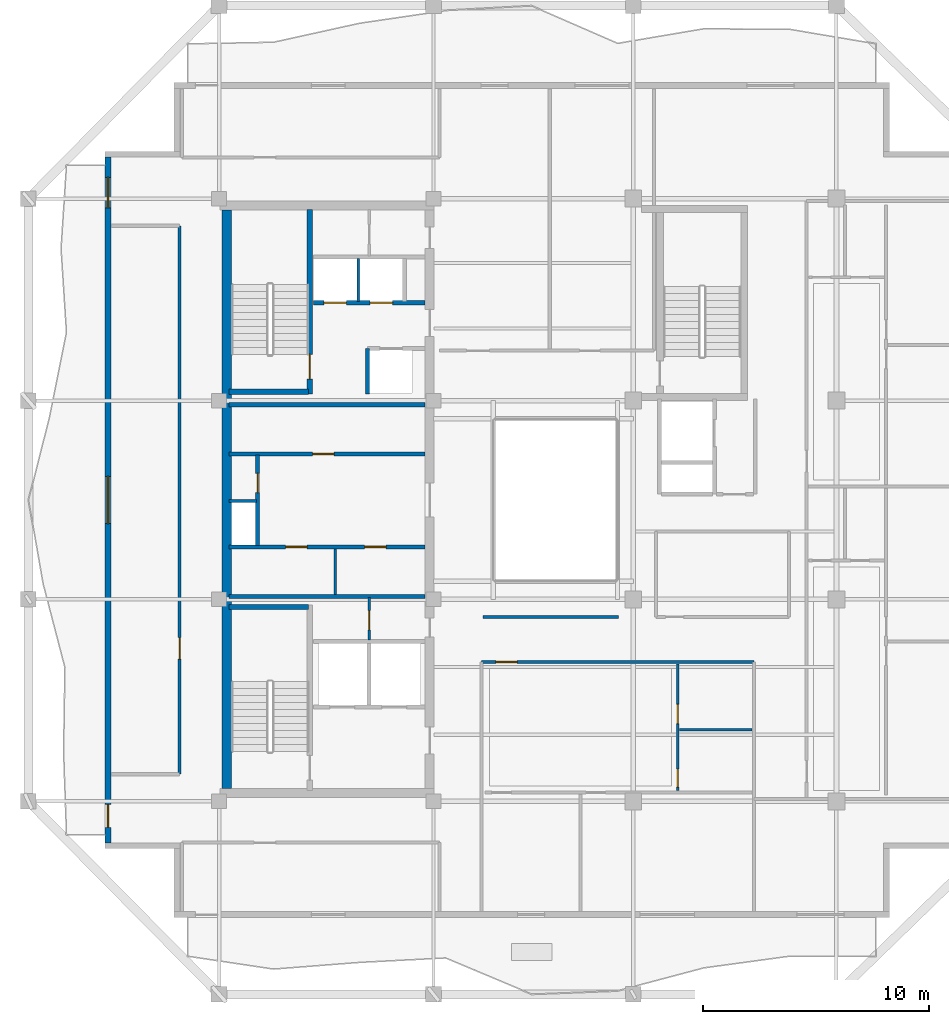
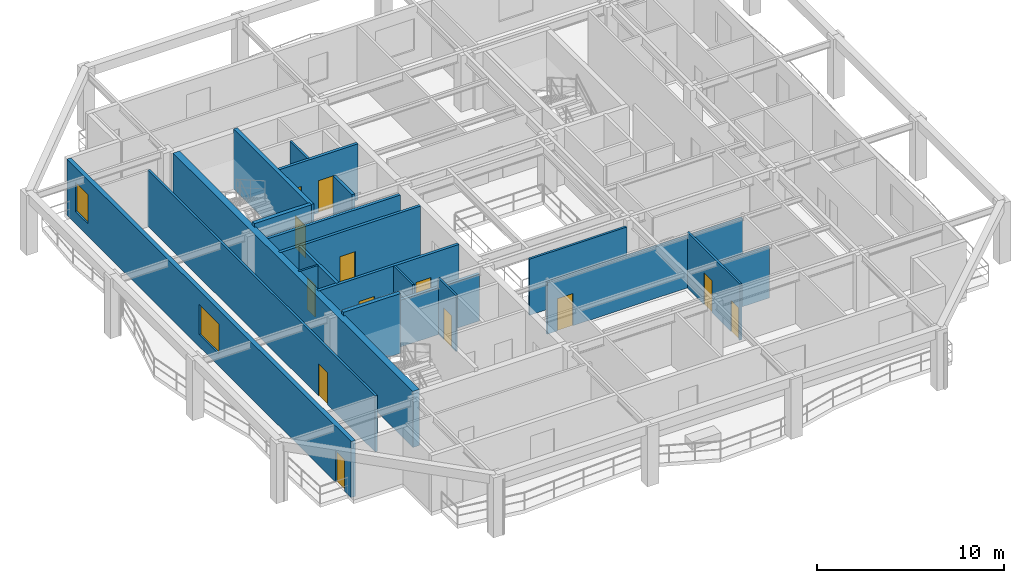
# One storey, part 3 of 10: 21 walls, 13 doors, 2 windows, 15 openings.
"""IFC4 building model written with IfcOpenShell, lengths in metres."""

from ifc_helpers import new_model, si_unit, direction, frame, frame_2d, origin, place, context, subcontext, project, spatial, rectangle, extrude, material, layer, layer_set, type_object, element, fill, save


model = new_model("IFC4")

# Units and contexts
model_context = context("Model", 3, precision=1e-05, world=origin(), true_north=direction((0.0, 1.0)))
body_context = subcontext(model_context, "Body", "Model", "MODEL_VIEW")
ifc_project = project(units=[si_unit("LENGTHUNIT", "METRE"), si_unit("AREAUNIT", "SQUARE_METRE"), si_unit("VOLUMEUNIT", "CUBIC_METRE"), si_unit("PLANEANGLEUNIT", "RADIAN"), si_unit("MASSUNIT", "GRAM", prefix="KILO")], contexts=[model_context])

# Site, building, storey
site_placement = place(None, origin())
site = spatial("IfcSite", under=ifc_project, at=site_placement, CompositionType="ELEMENT")
building_placement = place(site_placement, origin())
building = spatial("IfcBuilding", under=site, at=building_placement, Name="Kundavana Baori Tower", CompositionType="ELEMENT")
storey_placement = place(building_placement, frame((0.0, 0.0, 296.0)))
storey = spatial("IfcBuildingStorey", under=building, at=storey_placement, Name="L73", CompositionType="ELEMENT", Elevation=296.0)

# Walls
ifc_material_1 = material(Name="Concrete C50/60", Category="concrete")
ifc_layer_1 = layer(ifc_material_1, 0.39990234375, Name="WL-CORE-400")
ifc_layer_set_1 = layer_set([ifc_layer_1], Name="Concrete C50/60")
wall_type_1 = type_object("IfcWallType", Name="WL-CORE-400", PredefinedType="SHEAR", material=ifc_layer_set_1)
wall_1_placement = place(storey_placement, frame((15.7900390625, 15.81005859375, 0.0), z_axis=(0.0, 0.0, 1.0), x_axis=(0.0, 1.0, 0.0)))
element("IfcWall", 1, at=wall_1_placement, inside=storey, type_object=wall_type_1, Name="L73 Offset Core West Shear Wall", PredefinedType="SHEAR", context=body_context, shape_type="SweptSolid", body=[
    extrude(rectangle(XDim=25.6298828125, YDim=0.39990234375, at=frame_2d((12.81494140625, 0.0))), origin(), (0.0, 0.0, 1.0), 3.659912109375),
])
wall_2_placement = place(storey_placement, frame((15.89990234375, 23.860107421875, 0.0), z_axis=(0.0, 0.0, 1.0), x_axis=(1.0, 0.0, 0.0)))
element("IfcWall", 2, at=wall_2_placement, inside=storey, type_object=wall_type_1, Name="WL-L73-ST1-N", PredefinedType="SHEAR", context=body_context, shape_type="SweptSolid", body=[
    extrude(rectangle(XDim=3.52001953125, YDim=0.239990234375, at=frame_2d((1.760009765625, 0.0))), origin(), (0.0, 0.0, 1.0), 3.89990234375),
])

# Wall, opening, door
wall_3_placement = place(storey_placement, frame((19.4599609375, 33.300048828125, 0.0), z_axis=(0.0, 0.0, 1.0), x_axis=(0.0, 1.0, 0.0)))
wall_3 = element("IfcWall", 3, at=wall_3_placement, inside=storey, type_object=wall_type_1, Name="WL-L73-ST2-E", PredefinedType="SHEAR", context=body_context, shape_type="SweptSolid", body=[
    extrude(rectangle(XDim=8.179931640625, YDim=0.239990234375, at=frame_2d((4.08984375, 0.0))), origin(), (0.0, 0.0, 1.0), 3.89990234375),
])
opening_1_placement = place(wall_3_placement, frame((0.64990234375, 0.0, 0.0)))
opening_1 = element("IfcOpeningElement", 4, at=opening_1_placement, cuts=wall_3, Name="Opening FD-110", PredefinedType="OPENING", context=body_context, shape_type="SweptSolid", body=[
    extrude(rectangle(XDim=1.10009765625, YDim=2.10009765625, at=frame_2d((0.550048828125, 1.050048828125))), frame((0.0, 0.1298828125, 0.0), z_axis=(0.0, -1.0, 0.0), x_axis=(1.0, 0.0, 0.0)), (0.0, 0.0, 1.0), 0.260009765625),
])
ifc_material_2 = material(Name="Galvanised Steel Fire-Rated Door Leaf", Category="steel")
door_type_1 = type_object("IfcDoorType", Name="DR-FD120-1100", OperationType="NOTDEFINED", PredefinedType="DOOR", material=ifc_material_2)
door_1_placement = place(opening_1_placement, origin())
door_1 = element("IfcDoor", 5, at=door_1_placement, inside=storey, type_object=door_type_1, Name="DR-L73-ST2", OperationType="SINGLE_SWING_RIGHT", OverallHeight=2.10009765625, OverallWidth=1.10009765625, PredefinedType="DOOR", context=body_context, shape_type="SweptSolid", body=[
    extrude(rectangle(XDim=1.10009765625, YDim=2.10009765625, at=frame_2d((0.550048828125, 1.050048828125))), frame((0.0, 0.02490234375, 0.0), z_axis=(0.0, -1.0, 0.0), x_axis=(1.0, 0.0, 0.0)), (0.0, 0.0, 1.0), 0.050048828125),
])
fill(opening_1, door_1)

# Wall
wall_4_placement = place(storey_placement, frame((15.89990234375, 33.389892578125, 0.0), z_axis=(0.0, 0.0, 1.0), x_axis=(1.0, 0.0, 0.0)))
element("IfcWall", 6, at=wall_4_placement, inside=storey, type_object=wall_type_1, Name="WL-L73-ST2-S", PredefinedType="SHEAR", context=body_context, shape_type="SweptSolid", body=[
    extrude(rectangle(XDim=3.52001953125, YDim=0.239990234375, at=frame_2d((1.760009765625, 0.0))), origin(), (0.0, 0.0, 1.0), 3.89990234375),
])

# Wall, openings, door, windows
ifc_material_3 = material(Name="Kiln-Fired Terracotta Brick-Slip Masonry on Concrete C40/50", Category="masonry")
ifc_layer_2 = layer(ifc_material_3, 0.260009765625, Name="WL-EXT-BRK-260")
ifc_layer_set_2 = layer_set([ifc_layer_2], Name="Kiln-Fired Terracotta Brick-Slip Masonry on Concrete C40/50")
wall_type_2 = type_object("IfcWallType", Name="WL-EXT-BRK-260", PredefinedType="SOLIDWALL", material=ifc_layer_set_2)
wall_5_placement = place(storey_placement, frame((10.530029296875, 43.7900390625, 0.0), z_axis=(0.0, 0.0, 1.0), x_axis=(0.0, -1.0, 0.0)))
wall_5 = element("IfcWall", 7, at=wall_5_placement, inside=storey, type_object=wall_type_2, Name="L73 Exterior Insulated Facade Wall 10", PredefinedType="SOLIDWALL", context=body_context, shape_type="SweptSolid", body=[
    extrude(rectangle(XDim=30.380126953125, YDim=0.260009765625, at=frame_2d((15.18994140625, 0.0))), origin(), (0.0, 0.0, 1.0), 3.659912109375),
])
opening_2_placement = place(wall_5_placement, frame((28.68994140625, 0.0, 0.0)))
opening_2 = element("IfcOpeningElement", 8, at=opening_2_placement, cuts=wall_5, Name="Opening BD-1", PredefinedType="OPENING", context=body_context, shape_type="SweptSolid", body=[
    extrude(rectangle(XDim=1.0, YDim=2.050048828125, at=frame_2d((0.5, 1.02490234375))), frame((0.0, 0.14013671875, 0.0), z_axis=(0.0, -1.0, 0.0), x_axis=(1.0, 0.0, 0.0)), (0.0, 0.0, 1.0), 0.280029296875),
])
opening_3_placement = place(wall_5_placement, frame((14.139892578125, 0.0, 0.800048828125)))
opening_3 = element("IfcOpeningElement", 9, at=opening_3_placement, cuts=wall_5, Name="Opening W-05", PredefinedType="OPENING", context=body_context, shape_type="SweptSolid", body=[
    extrude(rectangle(XDim=2.10009765625, YDim=1.949951171875, at=frame_2d((1.050048828125, 0.97509765625))), frame((0.0, 0.14013671875, 0.0), z_axis=(0.0, -1.0, 0.0), x_axis=(1.0, 0.0, 0.0)), (0.0, 0.0, 1.0), 0.280029296875),
])
opening_4_placement = place(wall_5_placement, frame((0.89990234375, 0.0, 0.800048828125)))
opening_4 = element("IfcOpeningElement", 10, at=opening_4_placement, cuts=wall_5, Name="Opening W-07", PredefinedType="OPENING", context=body_context, shape_type="SweptSolid", body=[
    extrude(rectangle(XDim=1.35009765625, YDim=1.89990234375, at=frame_2d((0.675048828125, 0.949951171875))), frame((0.0, 0.14013671875, 0.0), z_axis=(0.0, -1.0, 0.0), x_axis=(1.0, 0.0, 0.0)), (0.0, 0.0, 1.0), 0.280029296875),
])
ifc_material_4 = material(Name="Architectural Patinated Bronze Metalwork")
door_type_2 = type_object("IfcDoorType", Name="DR-EXT-LOG-1000", OperationType="NOTDEFINED", PredefinedType="DOOR", material=ifc_material_4)
door_2_placement = place(opening_2_placement, frame((1.0, 0.0, 0.0), z_axis=(0.0, 0.0, 1.0), x_axis=(-1.0, 0.0, 0.0)))
door_2 = element("IfcDoor", 11, at=door_2_placement, inside=storey, type_object=door_type_2, Name="L73 Loggia Balcony Access Door W", OperationType="SINGLE_SWING_RIGHT", OverallHeight=2.050048828125, OverallWidth=1.0, PredefinedType="DOOR", context=body_context, shape_type="SweptSolid", body=[
    extrude(rectangle(XDim=1.0, YDim=2.050048828125, at=frame_2d((0.5, 1.02490234375))), frame((0.0, 0.02490234375, 0.0), z_axis=(0.0, -1.0, 0.0), x_axis=(1.0, 0.0, 0.0)), (0.0, 0.0, 1.0), 0.050048828125),
])
fill(opening_2, door_2)
ifc_material_5 = material(Name="Double-Glazed Solar-Control Low-E Insulated Glass", Category="glass")
window_type_1 = type_object("IfcWindowType", Name="WIN-LOG-1350x1900", PartitioningType="SINGLE_PANEL", PredefinedType="WINDOW", material=ifc_material_5)
window_1_placement = place(opening_4_placement, origin())
window_1 = element("IfcWindow", 12, at=window_1_placement, inside=storey, type_object=window_type_1, Name="L73 Recessed Loggia Window W-3", OverallHeight=1.89990234375, OverallWidth=1.35009765625, PartitioningType="SINGLE_PANEL", PredefinedType="WINDOW", context=body_context, shape_type="SweptSolid", body=[
    extrude(rectangle(XDim=1.35009765625, YDim=1.89990234375, at=frame_2d((0.675048828125, 0.949951171875))), frame((0.0, 0.030029296875, 0.0), z_axis=(0.0, -1.0, 0.0), x_axis=(1.0, 0.0, 0.0)), (0.0, 0.0, 1.0), 0.06005859375),
])
fill(opening_4, window_1)
ifc_material_6 = material(Name="Double-Glazed Solar-Control Low-E Insulated Glass", Category="glass")
window_type_2 = type_object("IfcWindowType", Name="WIN-LOG-2100x1950", PartitioningType="SINGLE_PANEL", PredefinedType="WINDOW", material=ifc_material_6)
window_2_placement = place(opening_3_placement, origin())
window_2 = element("IfcWindow", 13, at=window_2_placement, inside=storey, type_object=window_type_2, Name="L73 Recessed Loggia Window W-2", OverallHeight=1.949951171875, OverallWidth=2.10009765625, PartitioningType="SINGLE_PANEL", PredefinedType="WINDOW", context=body_context, shape_type="SweptSolid", body=[
    extrude(rectangle(XDim=2.10009765625, YDim=1.949951171875, at=frame_2d((1.050048828125, 0.97509765625))), frame((0.0, 0.030029296875, 0.0), z_axis=(0.0, -1.0, 0.0), x_axis=(1.0, 0.0, 0.0)), (0.0, 0.0, 1.0), 0.06005859375),
])
fill(opening_3, window_2)

# Wall, opening, door
ifc_material_7 = material(Name="Acoustic Gypsum Plasterboard on Galvanised Steel Studs", Category="steel")
ifc_layer_3 = layer(ifc_material_7, 0.1201171875, Name="WL-PART-120")
ifc_layer_set_3 = layer_set([ifc_layer_3], Name="Acoustic Gypsum Plasterboard on Galvanised Steel Studs")
wall_type_3 = type_object("IfcWallType", Name="WL-PART-120", PredefinedType="PARTITIONING", material=ifc_layer_set_3)
wall_6_placement = place(storey_placement, frame((22.10009765625, 22.39990234375, 0.0), z_axis=(0.0, 0.0, 1.0), x_axis=(0.0, 1.0, 0.0)))
wall_6 = element("IfcWall", 14, at=wall_6_placement, inside=storey, type_object=wall_type_3, Name="WL-L73-CSMK-D1", PredefinedType="PARTITIONING", context=body_context, shape_type="SweptSolid", body=[
    extrude(rectangle(XDim=1.880126953125, YDim=0.1201171875, at=frame_2d((0.93994140625, 0.0))), origin(), (0.0, 0.0, 1.0), 3.659912109375),
])
opening_5_placement = place(wall_6_placement, frame((0.449951171875, 0.0, 0.0)))
opening_5 = element("IfcOpeningElement", 15, at=opening_5_placement, cuts=wall_6, Name="Opening FD-085", PredefinedType="OPENING", context=body_context, shape_type="SweptSolid", body=[
    extrude(rectangle(XDim=0.85009765625, YDim=2.06005859375, at=frame_2d((0.425048828125, 1.030029296875))), frame((0.0, 0.070068359375, 0.0), z_axis=(0.0, -1.0, 0.0), x_axis=(1.0, 0.0, 0.0)), (0.0, 0.0, 1.0), 0.14013671875),
])
ifc_material_8 = material(Name="Galvanised Steel Fire-Rated Door Leaf", Category="steel")
door_type_3 = type_object("IfcDoorType", Name="DR-FD60-850", OperationType="NOTDEFINED", PredefinedType="DOOR", material=ifc_material_8)
door_3_placement = place(opening_5_placement, origin())
door_3 = element("IfcDoor", 16, at=door_3_placement, inside=storey, type_object=door_type_3, Name="DR-L73-CSMK1", OperationType="SINGLE_SWING_LEFT", OverallHeight=2.06005859375, OverallWidth=0.85009765625, PredefinedType="DOOR", context=body_context, shape_type="SweptSolid", body=[
    extrude(rectangle(XDim=0.85009765625, YDim=2.06005859375, at=frame_2d((0.425048828125, 1.030029296875))), frame((0.0, 0.02490234375, 0.0), z_axis=(0.0, -1.0, 0.0), x_axis=(1.0, 0.0, 0.0)), (0.0, 0.0, 1.0), 0.050048828125),
])
fill(opening_5, door_3)

# Walls
wall_7_placement = place(storey_placement, frame((20.60009765625, 24.419921875, 0.0), z_axis=(0.0, 0.0, 1.0), x_axis=(0.0, 1.0, 0.0)))
element("IfcWall", 17, at=wall_7_placement, inside=storey, type_object=wall_type_3, Name="WL-L73-FRLOW-DIV", PredefinedType="PARTITIONING", context=body_context, shape_type="SweptSolid", body=[
    extrude(rectangle(XDim=2.02001953125, YDim=0.1201171875, at=frame_2d((1.010009765625, 0.0))), origin(), (0.0, 0.0, 1.0), 3.659912109375),
])
wall_8_placement = place(storey_placement, frame((15.89990234375, 28.56005859375, 0.0), z_axis=(0.0, 0.0, 1.0), x_axis=(1.0, 0.0, 0.0)))
element("IfcWall", 18, at=wall_8_placement, inside=storey, type_object=wall_type_3, Name="WL-L73-RSRW-N", PredefinedType="PARTITIONING", context=body_context, shape_type="SweptSolid", body=[
    extrude(rectangle(XDim=1.2001953125, YDim=0.1201171875, at=frame_2d((0.60009765625, 0.0))), origin(), (0.0, 0.0, 1.0), 3.659912109375),
])
wall_9_placement = place(storey_placement, frame((21.6201171875, 37.39990234375, 0.0), z_axis=(0.0, 0.0, 1.0), x_axis=(0.0, 1.0, 0.0)))
element("IfcWall", 19, at=wall_9_placement, inside=storey, type_object=wall_type_3, Name="WL-L73-HR-DIV1", PredefinedType="PARTITIONING", context=body_context, shape_type="SweptSolid", body=[
    extrude(rectangle(XDim=1.900146484375, YDim=0.1201171875, at=frame_2d((0.9501953125, 0.0))), origin(), (0.0, 0.0, 1.0), 3.659912109375),
])

# Wall, opening, door
ifc_material_9 = material(Name="Acoustic Gypsum Plasterboard on Galvanised Steel Studs", Category="steel")
ifc_layer_4 = layer(ifc_material_9, 0.135009765625, Name="WL-PART-135")
ifc_layer_set_4 = layer_set([ifc_layer_4], Name="Acoustic Gypsum Plasterboard on Galvanised Steel Studs")
wall_type_4 = type_object("IfcWallType", Name="WL-PART-135", PredefinedType="PARTITIONING", material=ifc_layer_set_4)
wall_10_placement = place(storey_placement, frame((27.080078125, 21.419921875, 0.0), z_axis=(0.0, 0.0, 1.0), x_axis=(1.0, 0.0, 0.0)))
wall_10 = element("IfcWall", 20, at=wall_10_placement, inside=storey, type_object=wall_type_4, Name="WL-L73-RS", PredefinedType="PARTITIONING", context=body_context, shape_type="SweptSolid", body=[
    extrude(rectangle(XDim=12.06982421875, YDim=0.135009765625, at=frame_2d((6.034912109375, 0.0))), origin(), (0.0, 0.0, 1.0), 3.360107421875),
])
opening_6_placement = place(wall_10_placement, frame((0.6298828125, 0.0, 0.0)))
opening_6 = element("IfcOpeningElement", 21, at=opening_6_placement, cuts=wall_10, Name="Opening FD-095", PredefinedType="OPENING", context=body_context, shape_type="SweptSolid", body=[
    extrude(rectangle(XDim=0.949951171875, YDim=2.10009765625, at=frame_2d((0.47509765625, 1.050048828125))), frame((0.0, 0.07763671875, 0.0), z_axis=(0.0, -1.0, 0.0), x_axis=(1.0, 0.0, 0.0)), (0.0, 0.0, 1.0), 0.155029296875),
])
ifc_material_10 = material(Name="Engineered Teak Fire-Rated Timber Door Leaf", Category="wood")
door_type_4 = type_object("IfcDoorType", Name="DR-FD60-950", OperationType="NOTDEFINED", PredefinedType="DOOR", material=ifc_material_10)
door_4_placement = place(opening_6_placement, frame((0.949951171875, 0.0, 0.0), z_axis=(0.0, 0.0, 1.0), x_axis=(-1.0, 0.0, 0.0)))
door_4 = element("IfcDoor", 22, at=door_4_placement, inside=storey, type_object=door_type_4, Name="DR-L73-S1-ENT", OperationType="SINGLE_SWING_RIGHT", OverallHeight=2.10009765625, OverallWidth=0.949951171875, PredefinedType="DOOR", context=body_context, shape_type="SweptSolid", body=[
    extrude(rectangle(XDim=0.949951171875, YDim=2.10009765625, at=frame_2d((0.47509765625, 1.050048828125))), frame((0.0, 0.02490234375, 0.0), z_axis=(0.0, -1.0, 0.0), x_axis=(1.0, 0.0, 0.0)), (0.0, 0.0, 1.0), 0.050048828125),
])
fill(opening_6, door_4)

# Wall
wall_11_placement = place(storey_placement, frame((27.14990234375, 23.419921875, 0.0), z_axis=(0.0, 0.0, 1.0), x_axis=(1.0, 0.0, 0.0)))
element("IfcWall", 23, at=wall_11_placement, inside=storey, type_object=wall_type_4, Name="WL-L73-RST", PredefinedType="PARTITIONING", context=body_context, shape_type="SweptSolid", body=[
    extrude(rectangle(XDim=6.0, YDim=0.135009765625, at=frame_2d((3.0, 0.0))), origin(), (0.0, 0.0, 1.0), 3.659912109375),
])

# Wall, opening, door
wall_12_placement = place(storey_placement, frame((13.699951171875, 16.449951171875, 0.0), z_axis=(0.0, 0.0, 1.0), x_axis=(0.0, 1.0, 0.0)))
wall_12 = element("IfcWall", 24, at=wall_12_placement, inside=storey, type_object=wall_type_4, Name="WL-L73-RW", PredefinedType="PARTITIONING", context=body_context, shape_type="SweptSolid", body=[
    extrude(rectangle(XDim=24.300048828125, YDim=0.135009765625, at=frame_2d((12.14990234375, 0.0))), origin(), (0.0, 0.0, 1.0), 3.659912109375),
])
opening_7_placement = place(wall_12_placement, frame((5.10009765625, 0.0, 0.0)))
opening_7 = element("IfcOpeningElement", 25, at=opening_7_placement, cuts=wall_12, Name="Opening ID-095", PredefinedType="OPENING", context=body_context, shape_type="SweptSolid", body=[
    extrude(rectangle(XDim=0.949951171875, YDim=2.080078125, at=frame_2d((0.47509765625, 1.0400390625))), frame((0.0, 0.07763671875, 0.0), z_axis=(0.0, -1.0, 0.0), x_axis=(1.0, 0.0, 0.0)), (0.0, 0.0, 1.0), 0.155029296875),
])
ifc_material_11 = material(Name="Engineered Teak Solid-Core Timber Veneer", Category="wood")
door_type_5 = type_object("IfcDoorType", Name="DR-INT-950", OperationType="NOTDEFINED", PredefinedType="DOOR", material=ifc_material_11)
door_5_placement = place(opening_7_placement, origin())
door_5 = element("IfcDoor", 26, at=door_5_placement, inside=storey, type_object=door_type_5, Name="DR-L73-RLNGW", OperationType="SINGLE_SWING_LEFT", OverallHeight=2.080078125, OverallWidth=0.949951171875, PredefinedType="DOOR", context=body_context, shape_type="SweptSolid", body=[
    extrude(rectangle(XDim=0.949951171875, YDim=2.080078125, at=frame_2d((0.47509765625, 1.0400390625))), frame((0.0, 0.02490234375, 0.0), z_axis=(0.0, -1.0, 0.0), x_axis=(1.0, 0.0, 0.0)), (0.0, 0.0, 1.0), 0.050048828125),
])
fill(opening_7, door_5)

# Wall, openings, doors
ifc_material_12 = material(Name="Autoclaved Aerated Concrete Blockwork Masonry", Category="masonry")
ifc_layer_5 = layer(ifc_material_12, 0.179931640625, Name="WL-SHAFT-180")
ifc_layer_set_5 = layer_set([ifc_layer_5], Name="Autoclaved Aerated Concrete Blockwork Masonry")
wall_type_5 = type_object("IfcWallType", Name="WL-SHAFT-180", PredefinedType="SOLIDWALL", material=ifc_layer_set_5)
wall_13_placement = place(storey_placement, frame((15.89990234375, 26.52001953125, 0.0), z_axis=(0.0, 0.0, 1.0), x_axis=(1.0, 0.0, 0.0)))
wall_13 = element("IfcWall", 27, at=wall_13_placement, inside=storey, type_object=wall_type_5, Name="WL-L73-LPLOW-N", PredefinedType="SOLIDWALL", context=body_context, shape_type="SweptSolid", body=[
    extrude(rectangle(XDim=8.68017578125, YDim=0.179931640625, at=frame_2d((4.340087890625, 0.0))), origin(), (0.0, 0.0, 1.0), 3.659912109375),
])
opening_8_placement = place(wall_13_placement, frame((2.5, 0.0, 0.0)))
opening_8 = element("IfcOpeningElement", 28, at=opening_8_placement, cuts=wall_13, Name="Opening FD-095", PredefinedType="OPENING", context=body_context, shape_type="SweptSolid", body=[
    extrude(rectangle(XDim=0.949951171875, YDim=2.10009765625, at=frame_2d((0.47509765625, 1.050048828125))), frame((0.0, 0.10009765625, 0.0), z_axis=(0.0, -1.0, 0.0), x_axis=(1.0, 0.0, 0.0)), (0.0, 0.0, 1.0), 0.199951171875),
])
opening_9_placement = place(wall_13_placement, frame((6.0, 0.0, 0.0)))
opening_9 = element("IfcOpeningElement", 29, at=opening_9_placement, cuts=wall_13, Name="Opening FD-095", PredefinedType="OPENING", context=body_context, shape_type="SweptSolid", body=[
    extrude(rectangle(XDim=0.949951171875, YDim=2.10009765625, at=frame_2d((0.47509765625, 1.050048828125))), frame((0.0, 0.10009765625, 0.0), z_axis=(0.0, -1.0, 0.0), x_axis=(1.0, 0.0, 0.0)), (0.0, 0.0, 1.0), 0.199951171875),
])
door_6_placement = place(opening_8_placement, origin())
door_6 = element("IfcDoor", 30, at=door_6_placement, inside=storey, type_object=door_type_4, Name="DR-L73-FRLOW1", OperationType="SINGLE_SWING_LEFT", OverallHeight=2.10009765625, OverallWidth=0.949951171875, PredefinedType="DOOR", context=body_context, shape_type="SweptSolid", body=[
    extrude(rectangle(XDim=0.949951171875, YDim=2.10009765625, at=frame_2d((0.47509765625, 1.050048828125))), frame((0.0, 0.02490234375, 0.0), z_axis=(0.0, -1.0, 0.0), x_axis=(1.0, 0.0, 0.0)), (0.0, 0.0, 1.0), 0.050048828125),
])
fill(opening_8, door_6)
door_7_placement = place(opening_9_placement, origin())
door_7 = element("IfcDoor", 31, at=door_7_placement, inside=storey, type_object=door_type_4, Name="DR-L73-FRLOW2", OperationType="SINGLE_SWING_RIGHT", OverallHeight=2.10009765625, OverallWidth=0.949951171875, PredefinedType="DOOR", context=body_context, shape_type="SweptSolid", body=[
    extrude(rectangle(XDim=0.949951171875, YDim=2.10009765625, at=frame_2d((0.47509765625, 1.050048828125))), frame((0.0, 0.02490234375, 0.0), z_axis=(0.0, -1.0, 0.0), x_axis=(1.0, 0.0, 0.0)), (0.0, 0.0, 1.0), 0.050048828125),
])
fill(opening_9, door_7)

# Wall
wall_14_placement = place(storey_placement, frame((15.89990234375, 24.330078125, 0.0), z_axis=(0.0, 0.0, 1.0), x_axis=(1.0, 0.0, 0.0)))
element("IfcWall", 32, at=wall_14_placement, inside=storey, type_object=wall_type_5, Name="WL-L73-LPLOW-S", PredefinedType="SOLIDWALL", context=body_context, shape_type="SweptSolid", body=[
    extrude(rectangle(XDim=8.68017578125, YDim=0.179931640625, at=frame_2d((4.340087890625, 0.0))), origin(), (0.0, 0.0, 1.0), 3.06005859375),
])

# Wall, opening, door
wall_15_placement = place(storey_placement, frame((17.159912109375, 26.580078125, 0.0), z_axis=(0.0, 0.0, 1.0), x_axis=(0.0, 1.0, 0.0)))
wall_15 = element("IfcWall", 33, at=wall_15_placement, inside=storey, type_object=wall_type_5, Name="WL-L73-RSRW-E", PredefinedType="SOLIDWALL", context=body_context, shape_type="SweptSolid", body=[
    extrude(rectangle(XDim=4.02001953125, YDim=0.179931640625, at=frame_2d((2.010009765625, 0.0))), origin(), (0.0, 0.0, 1.0), 3.659912109375),
])
opening_10_placement = place(wall_15_placement, frame((2.35009765625, 0.0, 0.0)))
opening_10 = element("IfcOpeningElement", 34, at=opening_10_placement, cuts=wall_15, Name="Opening FD-085", PredefinedType="OPENING", context=body_context, shape_type="SweptSolid", body=[
    extrude(rectangle(XDim=0.85009765625, YDim=2.06005859375, at=frame_2d((0.425048828125, 1.030029296875))), frame((0.0, 0.10009765625, 0.0), z_axis=(0.0, -1.0, 0.0), x_axis=(1.0, 0.0, 0.0)), (0.0, 0.0, 1.0), 0.199951171875),
])
door_8_placement = place(opening_10_placement, origin())
door_8 = element("IfcDoor", 35, at=door_8_placement, inside=storey, type_object=door_type_3, Name="DR-L73-CLN", OperationType="SINGLE_SWING_RIGHT", OverallHeight=2.06005859375, OverallWidth=0.85009765625, PredefinedType="DOOR", context=body_context, shape_type="SweptSolid", body=[
    extrude(rectangle(XDim=0.85009765625, YDim=2.06005859375, at=frame_2d((0.425048828125, 1.030029296875))), frame((0.0, 0.02490234375, 0.0), z_axis=(0.0, -1.0, 0.0), x_axis=(1.0, 0.0, 0.0)), (0.0, 0.0, 1.0), 0.050048828125),
])
fill(opening_10, door_8)

wall_16_placement = place(storey_placement, frame((15.89990234375, 30.639892578125, 0.0), z_axis=(0.0, 0.0, 1.0), x_axis=(1.0, 0.0, 0.0)))
wall_16 = element("IfcWall", 36, at=wall_16_placement, inside=storey, type_object=wall_type_5, Name="WL-L73-LPMID-S", PredefinedType="SOLIDWALL", context=body_context, shape_type="SweptSolid", body=[
    extrude(rectangle(XDim=8.68017578125, YDim=0.179931640625, at=frame_2d((4.340087890625, 0.0))), origin(), (0.0, 0.0, 1.0), 3.659912109375),
])
opening_11_placement = place(wall_16_placement, frame((3.699951171875, 0.0, 0.0)))
opening_11 = element("IfcOpeningElement", 37, at=opening_11_placement, cuts=wall_16, Name="Opening FD-095", PredefinedType="OPENING", context=body_context, shape_type="SweptSolid", body=[
    extrude(rectangle(XDim=0.949951171875, YDim=2.10009765625, at=frame_2d((0.47509765625, 1.050048828125))), frame((0.0, 0.10009765625, 0.0), z_axis=(0.0, -1.0, 0.0), x_axis=(1.0, 0.0, 0.0)), (0.0, 0.0, 1.0), 0.199951171875),
])
door_9_placement = place(opening_11_placement, frame((0.949951171875, 0.0, 0.0), z_axis=(0.0, 0.0, 1.0), x_axis=(-1.0, 0.0, 0.0)))
door_9 = element("IfcDoor", 38, at=door_9_placement, inside=storey, type_object=door_type_4, Name="DR-L73-FRMID1", OperationType="SINGLE_SWING_RIGHT", OverallHeight=2.10009765625, OverallWidth=0.949951171875, PredefinedType="DOOR", context=body_context, shape_type="SweptSolid", body=[
    extrude(rectangle(XDim=0.949951171875, YDim=2.10009765625, at=frame_2d((0.47509765625, 1.050048828125))), frame((0.0, 0.02490234375, 0.0), z_axis=(0.0, -1.0, 0.0), x_axis=(1.0, 0.0, 0.0)), (0.0, 0.0, 1.0), 0.050048828125),
])
fill(opening_11, door_9)

# Walls
wall_17_placement = place(storey_placement, frame((15.89990234375, 32.820068359375, 0.0), z_axis=(0.0, 0.0, 1.0), x_axis=(1.0, 0.0, 0.0)))
element("IfcWall", 39, at=wall_17_placement, inside=storey, type_object=wall_type_5, Name="WL-L73-LPMID-N", PredefinedType="SOLIDWALL", context=body_context, shape_type="SweptSolid", body=[
    extrude(rectangle(XDim=8.68017578125, YDim=0.179931640625, at=frame_2d((4.340087890625, 0.0))), origin(), (0.0, 0.0, 1.0), 3.06005859375),
])
wall_18_placement = place(storey_placement, frame((22.02001953125, 33.300048828125, 0.0), z_axis=(0.0, 0.0, 1.0), x_axis=(0.0, 1.0, 0.0)))
element("IfcWall", 40, at=wall_18_placement, inside=storey, type_object=wall_type_5, Name="WL-L73-LP11-W", PredefinedType="SOLIDWALL", context=body_context, shape_type="SweptSolid", body=[
    extrude(rectangle(XDim=2.010009765625, YDim=0.179931640625, at=frame_2d((1.0048828125, 0.0))), origin(), (0.0, 0.0, 1.0), 3.659912109375),
])

# Wall, openings, doors
wall_19_placement = place(storey_placement, frame((19.639892578125, 37.340087890625, 0.0), z_axis=(0.0, 0.0, 1.0), x_axis=(1.0, 0.0, 0.0)))
wall_19 = element("IfcWall", 41, at=wall_19_placement, inside=storey, type_object=wall_type_5, Name="WL-L73-HRLOB-N", PredefinedType="SOLIDWALL", context=body_context, shape_type="SweptSolid", body=[
    extrude(rectangle(XDim=4.940185546875, YDim=0.179931640625, at=frame_2d((2.47021484375, 0.0))), origin(), (0.0, 0.0, 1.0), 3.659912109375),
])
opening_12_placement = place(wall_19_placement, frame((0.449951171875, 0.0, 0.0)))
opening_12 = element("IfcOpeningElement", 42, at=opening_12_placement, cuts=wall_19, Name="Opening LD-100", PredefinedType="OPENING", context=body_context, shape_type="SweptSolid", body=[
    extrude(rectangle(XDim=1.0, YDim=2.10009765625, at=frame_2d((0.5, 1.050048828125))), frame((0.0, 0.10009765625, 0.0), z_axis=(0.0, -1.0, 0.0), x_axis=(1.0, 0.0, 0.0)), (0.0, 0.0, 1.0), 0.199951171875),
])
opening_13_placement = place(wall_19_placement, frame((2.5, 0.0, 0.0)))
opening_13 = element("IfcOpeningElement", 43, at=opening_13_placement, cuts=wall_19, Name="Opening LD-100", PredefinedType="OPENING", context=body_context, shape_type="SweptSolid", body=[
    extrude(rectangle(XDim=1.0, YDim=2.10009765625, at=frame_2d((0.5, 1.050048828125))), frame((0.0, 0.10009765625, 0.0), z_axis=(0.0, -1.0, 0.0), x_axis=(1.0, 0.0, 0.0)), (0.0, 0.0, 1.0), 0.199951171875),
])
ifc_material_13 = material(Name="Galvanised Steel Fire-Rated Door Leaf", Category="steel")
door_type_6 = type_object("IfcDoorType", Name="DR-SLIDE-LD1000", OperationType="NOTDEFINED", PredefinedType="DOOR", material=ifc_material_13)
door_10_placement = place(opening_12_placement, frame((1.0, 0.0, 0.0), z_axis=(0.0, 0.0, 1.0), x_axis=(-1.0, 0.0, 0.0)))
door_10 = element("IfcDoor", 44, at=door_10_placement, inside=storey, type_object=door_type_6, Name="DR-L73-LD-LP09", OperationType="DOUBLE_DOOR_SLIDING", OverallHeight=2.10009765625, OverallWidth=1.0, PredefinedType="DOOR", context=body_context, shape_type="SweptSolid", body=[
    extrude(rectangle(XDim=1.0, YDim=2.10009765625, at=frame_2d((0.5, 1.050048828125))), frame((0.0, 0.02490234375, 0.0), z_axis=(0.0, -1.0, 0.0), x_axis=(1.0, 0.0, 0.0)), (0.0, 0.0, 1.0), 0.050048828125),
])
fill(opening_12, door_10)
door_11_placement = place(opening_13_placement, frame((1.0, 0.0, 0.0), z_axis=(0.0, 0.0, 1.0), x_axis=(-1.0, 0.0, 0.0)))
door_11 = element("IfcDoor", 45, at=door_11_placement, inside=storey, type_object=door_type_6, Name="DR-L73-LD-LP10", OperationType="DOUBLE_DOOR_SLIDING", OverallHeight=2.10009765625, OverallWidth=1.0, PredefinedType="DOOR", context=body_context, shape_type="SweptSolid", body=[
    extrude(rectangle(XDim=1.0, YDim=2.10009765625, at=frame_2d((0.5, 1.050048828125))), frame((0.0, 0.02490234375, 0.0), z_axis=(0.0, -1.0, 0.0), x_axis=(1.0, 0.0, 0.0)), (0.0, 0.0, 1.0), 0.050048828125),
])
fill(opening_13, door_11)

ifc_material_14 = material(Name="Autoclaved Aerated Concrete Blockwork Masonry", Category="masonry")
ifc_layer_6 = layer(ifc_material_14, 0.125, Name="WL-WET-120")
ifc_layer_set_6 = layer_set([ifc_layer_6], Name="Autoclaved Aerated Concrete Blockwork Masonry")
wall_type_6 = type_object("IfcWallType", Name="WL-WET-120", PredefinedType="PLUMBINGWALL", material=ifc_layer_set_6)
wall_20_placement = place(storey_placement, frame((35.77001953125, 15.720947265625, 0.0), z_axis=(0.0, 0.0, 1.0), x_axis=(0.0, 1.0, 0.0)))
wall_20 = element("IfcWall", 46, at=wall_20_placement, inside=storey, type_object=wall_type_6, Name="WL-L73-S1-KT", PredefinedType="PLUMBINGWALL", context=body_context, shape_type="SweptSolid", body=[
    extrude(rectangle(XDim=5.619140625, YDim=0.125, at=frame_2d((2.8095703125, 0.0))), origin(), (0.0, 0.0, 1.0), 3.659912109375),
])
opening_14_placement = place(wall_20_placement, frame((0.159912109375, 0.0, 0.0)))
opening_14 = element("IfcOpeningElement", 47, at=opening_14_placement, cuts=wall_20, Name="Opening WD-080", PredefinedType="OPENING", context=body_context, shape_type="SweptSolid", body=[
    extrude(rectangle(XDim=0.800048828125, YDim=2.050048828125, at=frame_2d((0.39990234375, 1.02490234375))), frame((0.0, 0.072509765625, 0.0), z_axis=(0.0, -1.0, 0.0), x_axis=(1.0, 0.0, 0.0)), (0.0, 0.0, 1.0), 0.14501953125),
])
opening_15_placement = place(wall_20_placement, frame((2.97705078125, 0.0, 0.0)))
opening_15 = element("IfcOpeningElement", 48, at=opening_15_placement, cuts=wall_20, Name="Opening ID-085", PredefinedType="OPENING", context=body_context, shape_type="SweptSolid", body=[
    extrude(rectangle(XDim=0.85009765625, YDim=2.080078125, at=frame_2d((0.425048828125, 1.0400390625))), frame((0.0, 0.072509765625, 0.0), z_axis=(0.0, -1.0, 0.0), x_axis=(1.0, 0.0, 0.0)), (0.0, 0.0, 1.0), 0.14501953125),
])
ifc_material_15 = material(Name="Engineered Teak Solid-Core Timber Veneer", Category="wood")
door_type_7 = type_object("IfcDoorType", Name="DR-INT-850", OperationType="NOTDEFINED", PredefinedType="DOOR", material=ifc_material_15)
door_12_placement = place(opening_15_placement, origin())
door_12 = element("IfcDoor", 49, at=door_12_placement, inside=storey, type_object=door_type_7, Name="DR-L73-S1-KT", OperationType="SINGLE_SWING_RIGHT", OverallHeight=2.080078125, OverallWidth=0.85009765625, PredefinedType="DOOR", context=body_context, shape_type="SweptSolid", body=[
    extrude(rectangle(XDim=0.85009765625, YDim=2.080078125, at=frame_2d((0.425048828125, 1.0400390625))), frame((0.0, 0.02490234375, 0.0), z_axis=(0.0, -1.0, 0.0), x_axis=(1.0, 0.0, 0.0)), (0.0, 0.0, 1.0), 0.050048828125),
])
fill(opening_15, door_12)
ifc_material_16 = material(Name="Engineered Teak Solid-Core Timber Veneer", Category="wood")
door_type_8 = type_object("IfcDoorType", Name="DR-WET-800", OperationType="NOTDEFINED", PredefinedType="DOOR", material=ifc_material_16)
door_13_placement = place(opening_14_placement, origin())
door_13 = element("IfcDoor", 50, at=door_13_placement, inside=storey, type_object=door_type_8, Name="DR-L73-S1-BT", OperationType="SINGLE_SWING_LEFT", OverallHeight=2.050048828125, OverallWidth=0.800048828125, PredefinedType="DOOR", context=body_context, shape_type="SweptSolid", body=[
    extrude(rectangle(XDim=0.800048828125, YDim=2.050048828125, at=frame_2d((0.39990234375, 1.02490234375))), frame((0.0, 0.02490234375, 0.0), z_axis=(0.0, -1.0, 0.0), x_axis=(1.0, 0.0, 0.0)), (0.0, 0.0, 1.0), 0.050048828125),
])
fill(opening_14, door_13)

# Wall
wall_21_placement = place(storey_placement, frame((35.85009765625, 18.41796875, 0.0), z_axis=(0.0, 0.0, 1.0), x_axis=(1.0, 0.0, 0.0)))
element("IfcWall", 51, at=wall_21_placement, inside=storey, type_object=wall_type_6, Name="WL-L73-S1-BT", PredefinedType="PLUMBINGWALL", context=body_context, shape_type="SweptSolid", body=[
    extrude(rectangle(XDim=3.219970703125, YDim=0.125, at=frame_2d((1.60986328125, 0.0))), origin(), (0.0, 0.0, 1.0), 3.360107421875),
])

save(model, "model.ifc")
